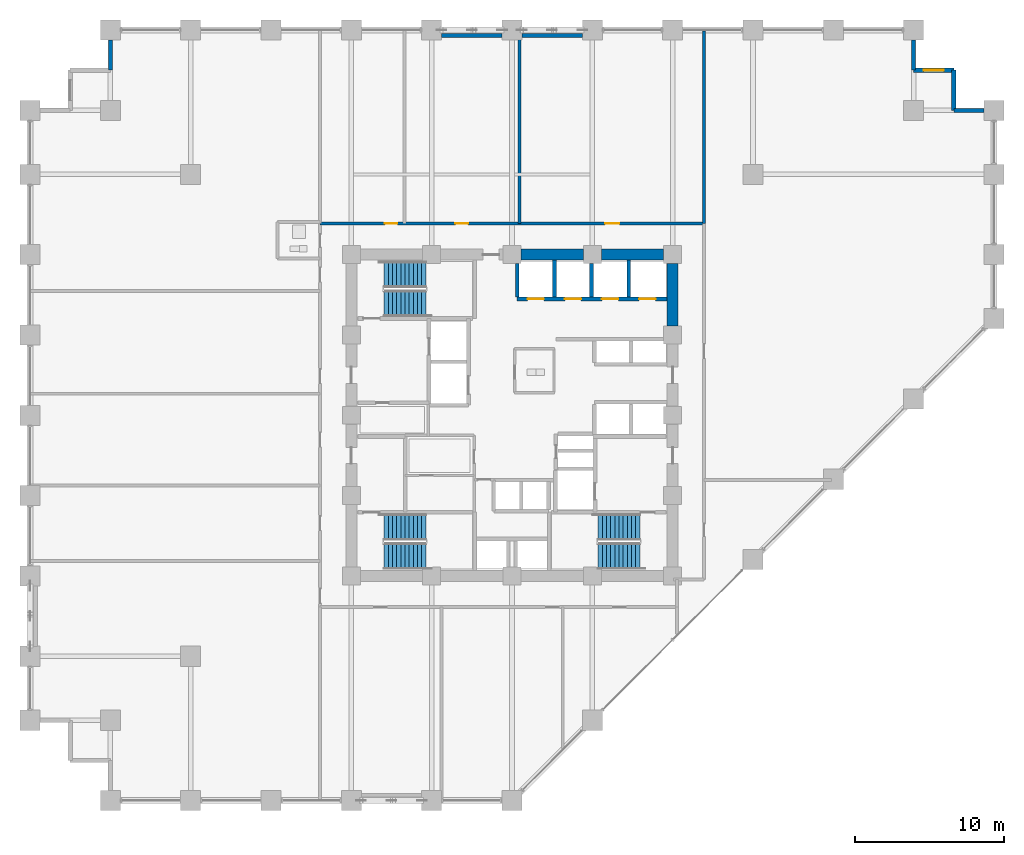
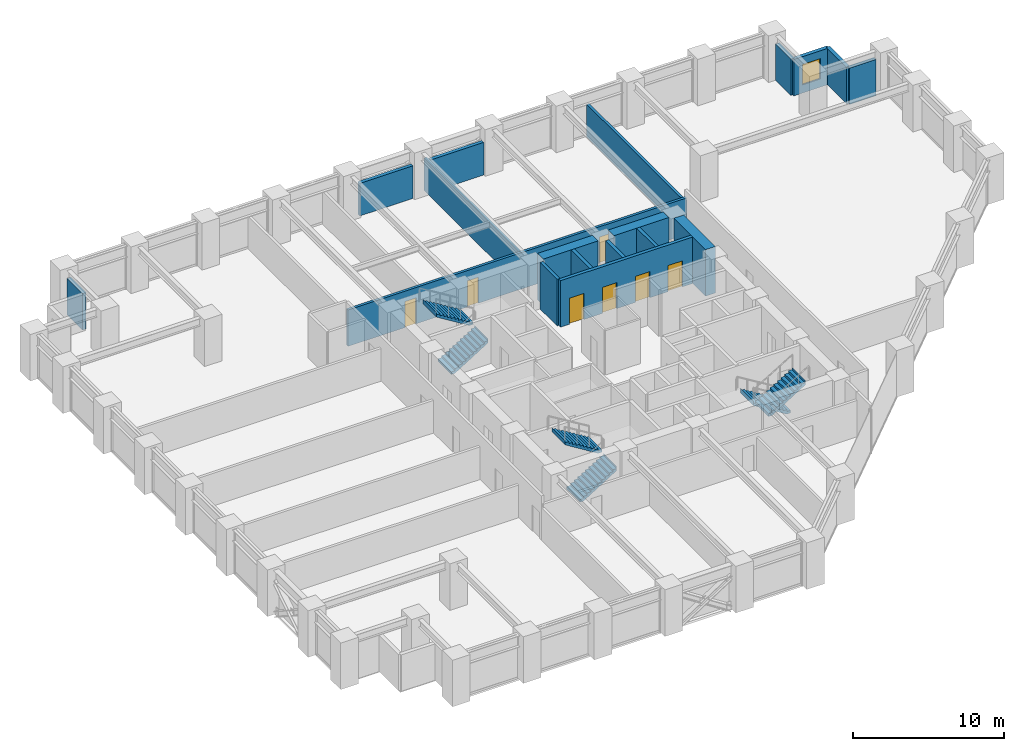
# One storey, part 22 of 24: 18 walls, 7 doors, 6 stair flights, 1 window, 8 openings, 3 elements without a shape of their own.
"""IFC4 building model written with IfcOpenShell, lengths in metres."""

from ifc_helpers import new_model, si_unit, direction, frame, frame_2d, origin, place, context, subcontext, project, spatial, polyline, rectangle, outline, extrude, material, layer, layer_set, type_object, element, fill, aggregate, save


model = new_model("IFC4")

# Units and contexts
model_context = context("Model", 3, precision=1e-05, world=origin(), true_north=direction((0.0, 1.0)))
body_context = subcontext(model_context, "Body", "Model", "MODEL_VIEW")
ifc_project = project(units=[si_unit("LENGTHUNIT", "METRE"), si_unit("AREAUNIT", "SQUARE_METRE"), si_unit("VOLUMEUNIT", "CUBIC_METRE"), si_unit("PLANEANGLEUNIT", "RADIAN"), si_unit("MASSUNIT", "GRAM", prefix="KILO")], contexts=[model_context])

# Site, building, storey
site_placement = place(None, origin())
site = spatial("IfcSite", under=ifc_project, at=site_placement, CompositionType="ELEMENT")
building_placement = place(site_placement, origin())
building = spatial("IfcBuilding", under=site, at=building_placement, Name="Surkhivell Harbour Commons", CompositionType="ELEMENT")
storey_placement = place(building_placement, frame((0.0, 0.0, 26.25)))
storey = spatial("IfcBuildingStorey", under=building, at=storey_placement, Name="L06", CompositionType="ELEMENT", Elevation=26.25)

# Walls
ifc_material_1 = material(Name="Concrete C60/75", Category="concrete")
ifc_layer_1 = layer(ifc_material_1, 0.75)
ifc_layer_set_1 = layer_set([ifc_layer_1], Name="Concrete C60/75")
wall_type_1 = type_object("IfcWallType", Name="WAL-CORE-750", PredefinedType="SHEAR", material=ifc_layer_set_1)
for number, where, z_axis, x_axis, name in (
    (1, (0.610107421875, 10.800048828125, 0.0), (0.0, 0.0, 1.0), (1.0, 0.0, 0.0), "L06 Core Shear Wall North 3"),
    (2, (6.010009765625, 10.800048828125, 0.0), (0.0, 0.0, 1.0), (1.0, 0.0, 0.0), "L06 Core Shear Wall North 4"),
    (3, (10.800048828125, 6.010009765625, 0.0), (0.0, 0.0, 1.0), (0.0, 1.0, 0.0), "L06 Core Shear Wall East 4"),
):
    element("IfcWall", number, at=place(storey_placement, frame(where, z_axis=z_axis, x_axis=x_axis)), inside=storey, type_object=wall_type_1, Name=name, PredefinedType="SHEAR", context=body_context, shape_type="SweptSolid", body=[
        extrude(rectangle(XDim=4.179931640625, YDim=0.75, at=frame_2d((2.08984375, 0.0))), origin(), (0.0, 0.0, 1.0), 3.75),
    ])
ifc_material_2 = material(Name="Pale-metal insulated precast concrete C45/55", Category="concrete")
ifc_layer_2 = layer(ifc_material_2, 0.260009765625)
ifc_layer_set_2 = layer_set([ifc_layer_2], Name="Pale-metal insulated precast concrete C45/55")
wall_type_2 = type_object("IfcWallType", Name="WAL-EXT-MTL260", PredefinedType="STANDARD", material=ifc_layer_set_2)
for number, where, z_axis, x_axis, name in (
    (4, (-0.673095703125, 25.5400390625, 0.0), (0.0, 0.0, 1.0), (-1.0, 0.0, 0.0), "L06 Braced-Bay Insulated Spandrel Backing N"),
    (5, (4.72705078125, 25.5400390625, 0.0), (0.0, 0.0, 1.0), (-1.0, 0.0, 0.0), "L06 Braced-Bay Insulated Spandrel Backing N2"),
):
    element("IfcWall", number, at=place(storey_placement, frame(where, z_axis=z_axis, x_axis=x_axis)), inside=storey, type_object=wall_type_2, Name=name, PredefinedType="STANDARD", context=body_context, shape_type="SweptSolid", body=[
        extrude(rectangle(XDim=4.053955078125, YDim=0.260009765625, at=frame_2d((2.02685546875, 0.0))), origin(), (0.0, 0.0, 1.0), 2.62890625),
    ])
ifc_material_3 = material(Name="Terracotta-clad reinforced concrete C45/55", Category="masonry")
ifc_layer_3 = layer(ifc_material_3, 0.280029296875)
ifc_layer_set_3 = layer_set([ifc_layer_3], Name="Terracotta-clad reinforced concrete C45/55")
wall_type_3 = type_object("IfcWallType", Name="WAL-EXT-TER280", PredefinedType="STANDARD", material=ifc_layer_set_3)
wall_1_placement = place(storey_placement, frame((31.72705078125, 20.5, 0.0), z_axis=(0.0, 0.0, 1.0), x_axis=(-1.0, 0.0, 0.0)))
element("IfcWall", 6, at=wall_1_placement, inside=storey, type_object=wall_type_3, Name="L06 Serrated Corner Facade Wall 03", PredefinedType="STANDARD", context=body_context, shape_type="SweptSolid", body=[
    extrude(rectangle(XDim=2.027099609375, YDim=0.280029296875, at=frame_2d((1.013671875, 0.0))), origin(), (0.0, 0.0, 1.0), 2.929931640625),
])
wall_2_placement = place(storey_placement, frame((29.699951171875, 20.5, 0.0), z_axis=(0.0, 0.0, 1.0), x_axis=(0.0, 1.0, 0.0)))
element("IfcWall", 7, at=wall_2_placement, inside=storey, type_object=wall_type_3, Name="L06 Serrated Corner Facade Wall 04", PredefinedType="STANDARD", context=body_context, shape_type="SweptSolid", body=[
    extrude(rectangle(XDim=2.699951171875, YDim=0.280029296875, at=frame_2d((1.35009765625, 0.0))), origin(), (0.0, 0.0, 1.0), 2.929931640625),
])

# Wall, opening, window
wall_3_placement = place(storey_placement, frame((29.699951171875, 23.199951171875, 0.0), z_axis=(0.0, 0.0, 1.0), x_axis=(-1.0, 0.0, 0.0)))
wall_3 = element("IfcWall", 8, at=wall_3_placement, inside=storey, type_object=wall_type_3, Name="L06 Serrated Corner Facade Wall 05", PredefinedType="STANDARD", context=body_context, shape_type="SweptSolid", body=[
    extrude(rectangle(XDim=2.699951171875, YDim=0.280029296875, at=frame_2d((1.35009765625, 0.0))), origin(), (0.0, 0.0, 1.0), 2.929931640625),
])
opening_1_placement = place(wall_3_placement, frame((0.675048828125, 0.0, 0.64990234375)))
opening_1 = element("IfcOpeningElement", 9, at=opening_1_placement, cuts=wall_3, Name="Opening WN-08", PredefinedType="OPENING", context=body_context, shape_type="SweptSolid", body=[
    extrude(rectangle(XDim=1.35009765625, YDim=1.64990234375, at=frame_2d((0.675048828125, 0.824951171875))), frame((0.0, 0.14990234375, 0.0), z_axis=(0.0, -1.0, 0.0), x_axis=(1.0, 0.0, 0.0)), (0.0, 0.0, 1.0), 0.300048828125),
])
ifc_material_4 = material(Name="Thermal-break aluminium frame and double low-E glazing", Category="aluminium")
window_type = type_object("IfcWindowType", Name="WIN-SER-1350x1650", PartitioningType="SINGLE_PANEL", PredefinedType="WINDOW", material=ifc_material_4)
window_placement = place(opening_1_placement, origin())
window = element("IfcWindow", 10, at=window_placement, inside=storey, type_object=window_type, Name="L06 Serrated Alcove Window 05", OverallHeight=1.64990234375, OverallWidth=1.35009765625, PartitioningType="SINGLE_PANEL", PredefinedType="WINDOW", context=body_context, shape_type="SweptSolid", body=[
    extrude(rectangle(XDim=1.35009765625, YDim=1.64990234375, at=frame_2d((0.675048828125, 0.824951171875))), frame((0.0, 0.030029296875, 0.0), z_axis=(0.0, -1.0, 0.0), x_axis=(1.0, 0.0, 0.0)), (0.0, 0.0, 1.0), 0.06005859375),
])
fill(opening_1, window)

# Walls
for number, where, z_axis, x_axis, name in (
    (11, (27.0, 23.199951171875, 0.0), (0.0, 0.0, 1.0), (0.0, 1.0, 0.0), "L06 Serrated Corner Facade Wall 06"),
    (12, (-27.0, 25.22705078125, 0.0), (0.0, 0.0, 1.0), (0.0, -1.0, 0.0), "L06 Serrated Corner Facade Wall 08"),
):
    element("IfcWall", number, at=place(storey_placement, frame(where, z_axis=z_axis, x_axis=x_axis)), inside=storey, type_object=wall_type_3, Name=name, PredefinedType="STANDARD", context=body_context, shape_type="SweptSolid", body=[
        extrude(rectangle(XDim=2.027099609375, YDim=0.280029296875, at=frame_2d((1.013671875, 0.0))), origin(), (0.0, 0.0, 1.0), 2.929931640625),
    ])
ifc_material_5 = material(Name="Autoclaved aerated concrete blockwork and fire plaster", Category="masonry")
ifc_layer_4 = layer(ifc_material_5, 0.199951171875)
ifc_layer_set_4 = layer_set([ifc_layer_4], Name="Autoclaved aerated concrete blockwork and fire plaster")
wall_type_4 = type_object("IfcWallType", Name="WAL-INT-200", PredefinedType="PARTITIONING", material=ifc_layer_set_4)
wall_4_placement = place(storey_placement, frame((12.89990234375, 12.89990234375, 0.0), z_axis=(0.0, 0.0, 1.0), x_axis=(0.0, 1.0, 0.0)))
element("IfcWall", 13, at=wall_4_placement, inside=storey, type_object=wall_type_4, Name="L06 North-East Wing Corner Divider", PredefinedType="PARTITIONING", context=body_context, shape_type="SweptSolid", body=[
    extrude(rectangle(XDim=12.940185546875, YDim=0.199951171875, at=frame_2d((6.47021484375, 0.0))), origin(), (0.0, 0.0, 1.0), 2.62890625),
])

# Wall, openings, doors
wall_5_placement = place(storey_placement, frame((-12.89990234375, 12.89990234375, 0.0), z_axis=(0.0, 0.0, 1.0), x_axis=(1.0, 0.0, 0.0)))
wall_5 = element("IfcWall", 14, at=wall_5_placement, inside=storey, type_object=wall_type_4, Name="L06 Corridor North Wall", PredefinedType="PARTITIONING", context=body_context, shape_type="SweptSolid", body=[
    extrude(rectangle(XDim=25.7998046875, YDim=0.199951171875, at=frame_2d((12.89990234375, 0.0))), origin(), (0.0, 0.0, 1.0), 2.929931640625),
])
opening_2_placement = place(wall_5_placement, frame((4.3466796875, 0.0, 0.0)))
opening_2 = element("IfcOpeningElement", 15, at=opening_2_placement, cuts=wall_5, Name="Opening ID-6", PredefinedType="OPENING", context=body_context, shape_type="SweptSolid", body=[
    extrude(rectangle(XDim=0.85009765625, YDim=2.10009765625, at=frame_2d((0.425048828125, 1.050048828125))), frame((0.0, 0.10986328125, 0.0), z_axis=(0.0, -1.0, 0.0), x_axis=(1.0, 0.0, 0.0)), (0.0, 0.0, 1.0), 0.219970703125),
])
opening_3_placement = place(wall_5_placement, frame((9.10009765625, 0.0, 0.0)))
opening_3 = element("IfcOpeningElement", 16, at=opening_3_placement, cuts=wall_5, Name="Opening ID-6", PredefinedType="OPENING", context=body_context, shape_type="SweptSolid", body=[
    extrude(rectangle(XDim=0.85009765625, YDim=2.10009765625, at=frame_2d((0.425048828125, 1.050048828125))), frame((0.0, 0.10986328125, 0.0), z_axis=(0.0, -1.0, 0.0), x_axis=(1.0, 0.0, 0.0)), (0.0, 0.0, 1.0), 0.219970703125),
])
opening_4_placement = place(wall_5_placement, frame((19.159912109375, 0.0, 0.0)))
opening_4 = element("IfcOpeningElement", 17, at=opening_4_placement, cuts=wall_5, Name="Opening ID-4", PredefinedType="OPENING", context=body_context, shape_type="SweptSolid", body=[
    extrude(rectangle(XDim=0.949951171875, YDim=2.10009765625, at=frame_2d((0.47509765625, 1.050048828125))), frame((0.0, 0.10986328125, 0.0), z_axis=(0.0, -1.0, 0.0), x_axis=(1.0, 0.0, 0.0)), (0.0, 0.0, 1.0), 0.219970703125),
])
ifc_material_6 = material(Name="Hardwood-veneered fire-rated door leaf", Category="wood")
door_type_1 = type_object("IfcDoorType", Name="DOR-FD30-850", OperationType="NOTDEFINED", PredefinedType="DOOR", material=ifc_material_6)
door_1_placement = place(opening_2_placement, origin())
door_1 = element("IfcDoor", 18, at=door_1_placement, inside=storey, type_object=door_type_1, Name="L06 Co-Working Study Office 1 North Door", OperationType="SINGLE_SWING_RIGHT", OverallHeight=2.10009765625, OverallWidth=0.85009765625, PredefinedType="DOOR", context=body_context, shape_type="SweptSolid", body=[
    extrude(rectangle(XDim=0.85009765625, YDim=2.10009765625, at=frame_2d((0.425048828125, 1.050048828125))), frame((0.0, 0.02490234375, 0.0), z_axis=(0.0, -1.0, 0.0), x_axis=(1.0, 0.0, 0.0)), (0.0, 0.0, 1.0), 0.050048828125),
])
fill(opening_2, door_1)
door_2_placement = place(opening_3_placement, origin())
door_2 = element("IfcDoor", 19, at=door_2_placement, inside=storey, type_object=door_type_1, Name="L06 Co-Working Study Office 2 North Door", OperationType="SINGLE_SWING_LEFT", OverallHeight=2.10009765625, OverallWidth=0.85009765625, PredefinedType="DOOR", context=body_context, shape_type="SweptSolid", body=[
    extrude(rectangle(XDim=0.85009765625, YDim=2.10009765625, at=frame_2d((0.425048828125, 1.050048828125))), frame((0.0, 0.02490234375, 0.0), z_axis=(0.0, -1.0, 0.0), x_axis=(1.0, 0.0, 0.0)), (0.0, 0.0, 1.0), 0.050048828125),
])
fill(opening_3, door_2)
door_type_2 = type_object("IfcDoorType", Name="DOR-FD60-950", OperationType="NOTDEFINED", PredefinedType="DOOR", material=ifc_material_6)
door_3_placement = place(opening_4_placement, origin())
door_3 = element("IfcDoor", 20, at=door_3_placement, inside=storey, type_object=door_type_2, Name="L06 Co-Working Study Office 3 North Door", OperationType="SINGLE_SWING_RIGHT", OverallHeight=2.10009765625, OverallWidth=0.949951171875, PredefinedType="DOOR", context=body_context, shape_type="SweptSolid", body=[
    extrude(rectangle(XDim=0.949951171875, YDim=2.10009765625, at=frame_2d((0.47509765625, 1.050048828125))), frame((0.0, 0.02490234375, 0.0), z_axis=(0.0, -1.0, 0.0), x_axis=(1.0, 0.0, 0.0)), (0.0, 0.0, 1.0), 0.050048828125),
])
fill(opening_4, door_3)

# Walls
wall_6_placement = place(storey_placement, frame((0.52001953125, 12.89990234375, 0.0), z_axis=(0.0, 0.0, 1.0), x_axis=(0.0, 1.0, 0.0)))
element("IfcWall", 21, at=wall_6_placement, inside=storey, type_object=wall_type_4, Name="L06 North Partition P2", PredefinedType="PARTITIONING", context=body_context, shape_type="SweptSolid", body=[
    extrude(rectangle(XDim=12.940185546875, YDim=0.199951171875, at=frame_2d((6.47021484375, 0.0))), origin(), (0.0, 0.0, 1.0), 2.62890625),
])
ifc_material_7 = material(Name="Concrete C50/60", Category="concrete")
ifc_layer_5 = layer(ifc_material_7, 0.25)
ifc_layer_set_5 = layer_set([ifc_layer_5], Name="Concrete C50/60")
wall_type_5 = type_object("IfcWallType", Name="WAL-SHAFT-250", PredefinedType="SHEAR", material=ifc_layer_set_5)
wall_7_placement = place(storey_placement, frame((2.85009765625, 7.93994140625, 0.0), z_axis=(0.0, 0.0, 1.0), x_axis=(0.0, 1.0, 0.0)))
element("IfcWall", 22, at=wall_7_placement, inside=storey, type_object=wall_type_5, Name="L06 Low-Rise Hoistway Wall", PredefinedType="SHEAR", context=body_context, shape_type="SweptSolid", body=[
    extrude(rectangle(XDim=2.485107421875, YDim=0.25, at=frame_2d((1.24267578125, 0.0))), origin(), (0.0, 0.0, 1.0), 3.75),
])
for number, where, z_axis, x_axis, name in (
    (23, (0.35009765625, 7.93994140625, 0.0), (0.0, 0.0, 1.0), (0.0, 1.0, 0.0), "L06 Low-Rise Hoistway Wall"),
    (24, (5.35009765625, 7.93994140625, 0.0), (0.0, 0.0, 1.0), (0.0, 1.0, 0.0), "L06 Low-Rise Hoistway Wall"),
):
    element("IfcWall", number, at=place(storey_placement, frame(where, z_axis=z_axis, x_axis=x_axis)), inside=storey, type_object=wall_type_5, Name=name, PredefinedType="SHEAR", context=body_context, shape_type="SweptSolid", body=[
        extrude(rectangle(XDim=2.260009765625, YDim=0.25, at=frame_2d((1.1298828125, 0.0))), origin(), (0.0, 0.0, 1.0), 3.75),
    ])
wall_8_placement = place(storey_placement, frame((7.85009765625, 7.93994140625, 0.0), z_axis=(0.0, 0.0, 1.0), x_axis=(0.0, 1.0, 0.0)))
element("IfcWall", 25, at=wall_8_placement, inside=storey, type_object=wall_type_5, Name="L06 Low-Rise Hoistway Wall", PredefinedType="SHEAR", context=body_context, shape_type="SweptSolid", body=[
    extrude(rectangle(XDim=2.485107421875, YDim=0.25, at=frame_2d((1.24267578125, 0.0))), origin(), (0.0, 0.0, 1.0), 3.75),
])

# Wall, openings, doors
wall_9_placement = place(storey_placement, frame((0.35009765625, 7.820068359375, 0.0), z_axis=(0.0, 0.0, 1.0), x_axis=(1.0, 0.0, 0.0)))
wall_9 = element("IfcWall", 26, at=wall_9_placement, inside=storey, type_object=wall_type_5, Name="L06 Low-Rise Lift Front Shaft Wall", PredefinedType="SHEAR", context=body_context, shape_type="SweptSolid", body=[
    extrude(rectangle(XDim=10.074951171875, YDim=0.25, at=frame_2d((5.03759765625, 0.0))), origin(), (0.0, 0.0, 1.0), 3.75),
])
opening_5_placement = place(wall_9_placement, frame((0.699951171875, 0.0, 0.0)))
opening_5 = element("IfcOpeningElement", 27, at=opening_5_placement, cuts=wall_9, Name="Opening LD-1", PredefinedType="OPENING", context=body_context, shape_type="SweptSolid", body=[
    extrude(rectangle(XDim=1.10009765625, YDim=2.10009765625, at=frame_2d((0.550048828125, 1.050048828125))), frame((0.0, 0.135009765625, 0.0), z_axis=(0.0, -1.0, 0.0), x_axis=(1.0, 0.0, 0.0)), (0.0, 0.0, 1.0), 0.27001953125),
])
opening_6_placement = place(wall_9_placement, frame((3.199951171875, 0.0, 0.0)))
opening_6 = element("IfcOpeningElement", 28, at=opening_6_placement, cuts=wall_9, Name="Opening LD-1", PredefinedType="OPENING", context=body_context, shape_type="SweptSolid", body=[
    extrude(rectangle(XDim=1.10009765625, YDim=2.10009765625, at=frame_2d((0.550048828125, 1.050048828125))), frame((0.0, 0.135009765625, 0.0), z_axis=(0.0, -1.0, 0.0), x_axis=(1.0, 0.0, 0.0)), (0.0, 0.0, 1.0), 0.27001953125),
])
opening_7_placement = place(wall_9_placement, frame((5.699951171875, 0.0, 0.0)))
opening_7 = element("IfcOpeningElement", 29, at=opening_7_placement, cuts=wall_9, Name="Opening LD-1", PredefinedType="OPENING", context=body_context, shape_type="SweptSolid", body=[
    extrude(rectangle(XDim=1.10009765625, YDim=2.10009765625, at=frame_2d((0.550048828125, 1.050048828125))), frame((0.0, 0.135009765625, 0.0), z_axis=(0.0, -1.0, 0.0), x_axis=(1.0, 0.0, 0.0)), (0.0, 0.0, 1.0), 0.27001953125),
])
opening_8_placement = place(wall_9_placement, frame((8.199951171875, 0.0, 0.0)))
opening_8 = element("IfcOpeningElement", 30, at=opening_8_placement, cuts=wall_9, Name="Opening LD-1", PredefinedType="OPENING", context=body_context, shape_type="SweptSolid", body=[
    extrude(rectangle(XDim=1.10009765625, YDim=2.10009765625, at=frame_2d((0.550048828125, 1.050048828125))), frame((0.0, 0.135009765625, 0.0), z_axis=(0.0, -1.0, 0.0), x_axis=(1.0, 0.0, 0.0)), (0.0, 0.0, 1.0), 0.27001953125),
])
ifc_material_8 = material(Name="Brushed stainless steel S355", Category="steel")
door_type_3 = type_object("IfcDoorType", Name="DOR-LD-1100", OperationType="SLIDING_TO_LEFT", PredefinedType="DOOR", material=ifc_material_8)
door_4_placement = place(opening_5_placement, origin())
door_4 = element("IfcDoor", 31, at=door_4_placement, inside=storey, type_object=door_type_3, Name="L06 Lift Landing Door LD-PL1", OperationType="SLIDING_TO_LEFT", OverallHeight=2.10009765625, OverallWidth=1.10009765625, PredefinedType="DOOR", context=body_context, shape_type="SweptSolid", body=[
    extrude(rectangle(XDim=1.10009765625, YDim=2.10009765625, at=frame_2d((0.550048828125, 1.050048828125))), frame((0.0, 0.02490234375, 0.0), z_axis=(0.0, -1.0, 0.0), x_axis=(1.0, 0.0, 0.0)), (0.0, 0.0, 1.0), 0.050048828125),
])
fill(opening_5, door_4)
door_5_placement = place(opening_6_placement, origin())
door_5 = element("IfcDoor", 32, at=door_5_placement, inside=storey, type_object=door_type_3, Name="L06 Lift Landing Door LD-PL2", OperationType="SLIDING_TO_LEFT", OverallHeight=2.10009765625, OverallWidth=1.10009765625, PredefinedType="DOOR", context=body_context, shape_type="SweptSolid", body=[
    extrude(rectangle(XDim=1.10009765625, YDim=2.10009765625, at=frame_2d((0.550048828125, 1.050048828125))), frame((0.0, 0.02490234375, 0.0), z_axis=(0.0, -1.0, 0.0), x_axis=(1.0, 0.0, 0.0)), (0.0, 0.0, 1.0), 0.050048828125),
])
fill(opening_6, door_5)
door_6_placement = place(opening_7_placement, origin())
door_6 = element("IfcDoor", 33, at=door_6_placement, inside=storey, type_object=door_type_3, Name="L06 Lift Landing Door LD-PL3", OperationType="SLIDING_TO_LEFT", OverallHeight=2.10009765625, OverallWidth=1.10009765625, PredefinedType="DOOR", context=body_context, shape_type="SweptSolid", body=[
    extrude(rectangle(XDim=1.10009765625, YDim=2.10009765625, at=frame_2d((0.550048828125, 1.050048828125))), frame((0.0, 0.02490234375, 0.0), z_axis=(0.0, -1.0, 0.0), x_axis=(1.0, 0.0, 0.0)), (0.0, 0.0, 1.0), 0.050048828125),
])
fill(opening_7, door_6)
door_7_placement = place(opening_8_placement, origin())
door_7 = element("IfcDoor", 34, at=door_7_placement, inside=storey, type_object=door_type_3, Name="L06 Lift Landing Door LD-PL4", OperationType="SLIDING_TO_LEFT", OverallHeight=2.10009765625, OverallWidth=1.10009765625, PredefinedType="DOOR", context=body_context, shape_type="SweptSolid", body=[
    extrude(rectangle(XDim=1.10009765625, YDim=2.10009765625, at=frame_2d((0.550048828125, 1.050048828125))), frame((0.0, 0.02490234375, 0.0), z_axis=(0.0, -1.0, 0.0), x_axis=(1.0, 0.0, 0.0)), (0.0, 0.0, 1.0), 0.050048828125),
])
fill(opening_8, door_7)

# Stair, stair flights
ifc_material_9 = material(Name="Precast concrete C45/55", Category="concrete")
stair_type = type_object("IfcStairType", Name="STR-DL-375", PredefinedType="HALF_TURN_STAIR", material=ifc_material_9)
stair_1_placement = place(storey_placement, origin())
stair_1 = element("IfcStair", 35, at=stair_1_placement, inside=storey, type_object=stair_type, Name="L06 Core Exit Stair ST1", PredefinedType="HALF_TURN_STAIR")
stair_flight_type = type_object("IfcStairFlightType", Name="STF-DL-375", PredefinedType="STRAIGHT", material=ifc_material_9)
stair_flight_1_placement = place(storey_placement, frame((-8.590087890625, 7.514892578125, 0.0), z_axis=(0.0, 0.0, 1.0), x_axis=(1.0, 0.0, 0.0)))
stair_flight_1 = element("IfcStairFlight", 36, at=stair_flight_1_placement, type_object=stair_flight_type, Name="ST1 flight 1", NumberOfRisers=11, NumberOfTreads=10, PredefinedType="STRAIGHT", RiserHeight=0.170454545, TreadLength=0.28, context=body_context, shape_type="SweptSolid", body=[
    extrude(outline(polyline([(-0.0029296875, -0.034912109375), (-0.0029296875, 0.0), (0.0, 0.0), (0.0, 0.17041015625), (0.280029296875, 0.17041015625), (0.280029296875, 0.3408203125), (0.56005859375, 0.3408203125), (0.56005859375, 0.511474609375), (0.840087890625, 0.511474609375), (0.840087890625, 0.681884765625), (1.1201171875, 0.681884765625), (1.1201171875, 0.852294921875), (1.39990234375, 0.852294921875), (1.39990234375, 1.022705078125), (1.679931640625, 1.022705078125), (1.679931640625, 1.193115234375), (1.9599609375, 1.193115234375), (1.9599609375, 1.363525390625), (2.239990234375, 1.363525390625), (2.239990234375, 1.5341796875), (2.52001953125, 1.5341796875), (2.52001953125, 1.70458984375), (2.800048828125, 1.70458984375), (2.800048828125, 1.875), (2.802978515625, 1.875), (2.802978515625, 1.529052734375), (0.288330078125, -0.034912109375), (-0.0029296875, -0.034912109375)])), frame((0.0, 0.875, 0.0), z_axis=(0.0, -1.0, 0.0), x_axis=(1.0, 0.0, 0.0)), (0.0, 0.0, 1.0), 1.75),
])
stair_flight_2_placement = place(storey_placement, frame((-5.7900390625, 9.465087890625, 1.875), z_axis=(0.0, 0.0, 1.0), x_axis=(-1.0, 0.0, 0.0)))
stair_flight_2 = element("IfcStairFlight", 37, at=stair_flight_2_placement, type_object=stair_flight_type, Name="ST1 flight 2", NumberOfRisers=11, NumberOfTreads=10, PredefinedType="STRAIGHT", RiserHeight=0.170454545, TreadLength=0.28, context=body_context, shape_type="SweptSolid", body=[
    extrude(outline(polyline([(-0.0029296875, -0.034912109375), (-0.0029296875, 0.0), (0.0, 0.0), (0.0, 0.17041015625), (0.280029296875, 0.17041015625), (0.280029296875, 0.3408203125), (0.56005859375, 0.3408203125), (0.56005859375, 0.511474609375), (0.840087890625, 0.511474609375), (0.840087890625, 0.681884765625), (1.1201171875, 0.681884765625), (1.1201171875, 0.852294921875), (1.39990234375, 0.852294921875), (1.39990234375, 1.022705078125), (1.679931640625, 1.022705078125), (1.679931640625, 1.193115234375), (1.9599609375, 1.193115234375), (1.9599609375, 1.363525390625), (2.239990234375, 1.363525390625), (2.239990234375, 1.5341796875), (2.52001953125, 1.5341796875), (2.52001953125, 1.70458984375), (2.800048828125, 1.70458984375), (2.800048828125, 1.875), (2.802978515625, 1.875), (2.802978515625, 1.529052734375), (0.288330078125, -0.034912109375), (-0.0029296875, -0.034912109375)])), frame((0.0, 0.875, 0.0), z_axis=(0.0, -1.0, 0.0), x_axis=(1.0, 0.0, 0.0)), (0.0, 0.0, 1.0), 1.75),
])
aggregate(stair_1, [stair_flight_1, stair_flight_2])

stair_2_placement = place(storey_placement, origin())
stair_2 = element("IfcStair", 38, at=stair_2_placement, inside=storey, type_object=stair_type, Name="L06 Core Exit Stair ST2", PredefinedType="HALF_TURN_STAIR")
stair_flight_3_placement = place(storey_placement, frame((8.590087890625, -7.514892578125, 0.0), z_axis=(0.0, 0.0, 1.0), x_axis=(-1.0, 0.0, 0.0)))
stair_flight_3 = element("IfcStairFlight", 39, at=stair_flight_3_placement, type_object=stair_flight_type, Name="ST2 flight 1", NumberOfRisers=11, NumberOfTreads=10, PredefinedType="STRAIGHT", RiserHeight=0.170454545, TreadLength=0.28, context=body_context, shape_type="SweptSolid", body=[
    extrude(outline(polyline([(-0.0029296875, -0.034912109375), (-0.0029296875, 0.0), (0.0, 0.0), (0.0, 0.17041015625), (0.280029296875, 0.17041015625), (0.280029296875, 0.3408203125), (0.56005859375, 0.3408203125), (0.56005859375, 0.511474609375), (0.840087890625, 0.511474609375), (0.840087890625, 0.681884765625), (1.1201171875, 0.681884765625), (1.1201171875, 0.852294921875), (1.39990234375, 0.852294921875), (1.39990234375, 1.022705078125), (1.679931640625, 1.022705078125), (1.679931640625, 1.193115234375), (1.9599609375, 1.193115234375), (1.9599609375, 1.363525390625), (2.239990234375, 1.363525390625), (2.239990234375, 1.5341796875), (2.52001953125, 1.5341796875), (2.52001953125, 1.70458984375), (2.800048828125, 1.70458984375), (2.800048828125, 1.875), (2.802978515625, 1.875), (2.802978515625, 1.529052734375), (0.288330078125, -0.034912109375), (-0.0029296875, -0.034912109375)])), frame((0.0, 0.875, 0.0), z_axis=(0.0, -1.0, 0.0), x_axis=(1.0, 0.0, 0.0)), (0.0, 0.0, 1.0), 1.75),
])
stair_flight_4_placement = place(storey_placement, frame((5.7900390625, -9.465087890625, 1.875), z_axis=(0.0, 0.0, 1.0), x_axis=(1.0, 0.0, 0.0)))
stair_flight_4 = element("IfcStairFlight", 40, at=stair_flight_4_placement, type_object=stair_flight_type, Name="ST2 flight 2", NumberOfRisers=11, NumberOfTreads=10, PredefinedType="STRAIGHT", RiserHeight=0.170454545, TreadLength=0.28, context=body_context, shape_type="SweptSolid", body=[
    extrude(outline(polyline([(-0.0029296875, -0.034912109375), (-0.0029296875, 0.0), (0.0, 0.0), (0.0, 0.17041015625), (0.280029296875, 0.17041015625), (0.280029296875, 0.3408203125), (0.56005859375, 0.3408203125), (0.56005859375, 0.511474609375), (0.840087890625, 0.511474609375), (0.840087890625, 0.681884765625), (1.1201171875, 0.681884765625), (1.1201171875, 0.852294921875), (1.39990234375, 0.852294921875), (1.39990234375, 1.022705078125), (1.679931640625, 1.022705078125), (1.679931640625, 1.193115234375), (1.9599609375, 1.193115234375), (1.9599609375, 1.363525390625), (2.239990234375, 1.363525390625), (2.239990234375, 1.5341796875), (2.52001953125, 1.5341796875), (2.52001953125, 1.70458984375), (2.800048828125, 1.70458984375), (2.800048828125, 1.875), (2.802978515625, 1.875), (2.802978515625, 1.529052734375), (0.288330078125, -0.034912109375), (-0.0029296875, -0.034912109375)])), frame((0.0, 0.875, 0.0), z_axis=(0.0, -1.0, 0.0), x_axis=(1.0, 0.0, 0.0)), (0.0, 0.0, 1.0), 1.75),
])
aggregate(stair_2, [stair_flight_3, stair_flight_4])

stair_3_placement = place(storey_placement, origin())
stair_3 = element("IfcStair", 41, at=stair_3_placement, inside=storey, type_object=stair_type, Name="L06 Core Exit Stair ST3", PredefinedType="HALF_TURN_STAIR")
stair_flight_5_placement = place(storey_placement, frame((-8.590087890625, -9.465087890625, 0.0), z_axis=(0.0, 0.0, 1.0), x_axis=(1.0, 0.0, 0.0)))
stair_flight_5 = element("IfcStairFlight", 42, at=stair_flight_5_placement, type_object=stair_flight_type, Name="ST3 flight 1", NumberOfRisers=11, NumberOfTreads=10, PredefinedType="STRAIGHT", RiserHeight=0.170454545, TreadLength=0.28, context=body_context, shape_type="SweptSolid", body=[
    extrude(outline(polyline([(-0.0029296875, -0.034912109375), (-0.0029296875, 0.0), (0.0, 0.0), (0.0, 0.17041015625), (0.280029296875, 0.17041015625), (0.280029296875, 0.3408203125), (0.56005859375, 0.3408203125), (0.56005859375, 0.511474609375), (0.840087890625, 0.511474609375), (0.840087890625, 0.681884765625), (1.1201171875, 0.681884765625), (1.1201171875, 0.852294921875), (1.39990234375, 0.852294921875), (1.39990234375, 1.022705078125), (1.679931640625, 1.022705078125), (1.679931640625, 1.193115234375), (1.9599609375, 1.193115234375), (1.9599609375, 1.363525390625), (2.239990234375, 1.363525390625), (2.239990234375, 1.5341796875), (2.52001953125, 1.5341796875), (2.52001953125, 1.70458984375), (2.800048828125, 1.70458984375), (2.800048828125, 1.875), (2.802978515625, 1.875), (2.802978515625, 1.529052734375), (0.288330078125, -0.034912109375), (-0.0029296875, -0.034912109375)])), frame((0.0, 0.875, 0.0), z_axis=(0.0, -1.0, 0.0), x_axis=(1.0, 0.0, 0.0)), (0.0, 0.0, 1.0), 1.75),
])
stair_flight_6_placement = place(storey_placement, frame((-5.7900390625, -7.514892578125, 1.875), z_axis=(0.0, 0.0, 1.0), x_axis=(-1.0, 0.0, 0.0)))
stair_flight_6 = element("IfcStairFlight", 43, at=stair_flight_6_placement, type_object=stair_flight_type, Name="ST3 flight 2", NumberOfRisers=11, NumberOfTreads=10, PredefinedType="STRAIGHT", RiserHeight=0.170454545, TreadLength=0.28, context=body_context, shape_type="SweptSolid", body=[
    extrude(outline(polyline([(-0.0029296875, -0.034912109375), (-0.0029296875, 0.0), (0.0, 0.0), (0.0, 0.17041015625), (0.280029296875, 0.17041015625), (0.280029296875, 0.3408203125), (0.56005859375, 0.3408203125), (0.56005859375, 0.511474609375), (0.840087890625, 0.511474609375), (0.840087890625, 0.681884765625), (1.1201171875, 0.681884765625), (1.1201171875, 0.852294921875), (1.39990234375, 0.852294921875), (1.39990234375, 1.022705078125), (1.679931640625, 1.022705078125), (1.679931640625, 1.193115234375), (1.9599609375, 1.193115234375), (1.9599609375, 1.363525390625), (2.239990234375, 1.363525390625), (2.239990234375, 1.5341796875), (2.52001953125, 1.5341796875), (2.52001953125, 1.70458984375), (2.800048828125, 1.70458984375), (2.800048828125, 1.875), (2.802978515625, 1.875), (2.802978515625, 1.529052734375), (0.288330078125, -0.034912109375), (-0.0029296875, -0.034912109375)])), frame((0.0, 0.875, 0.0), z_axis=(0.0, -1.0, 0.0), x_axis=(1.0, 0.0, 0.0)), (0.0, 0.0, 1.0), 1.75),
])
aggregate(stair_3, [stair_flight_5, stair_flight_6])

save(model, "model.ifc")
